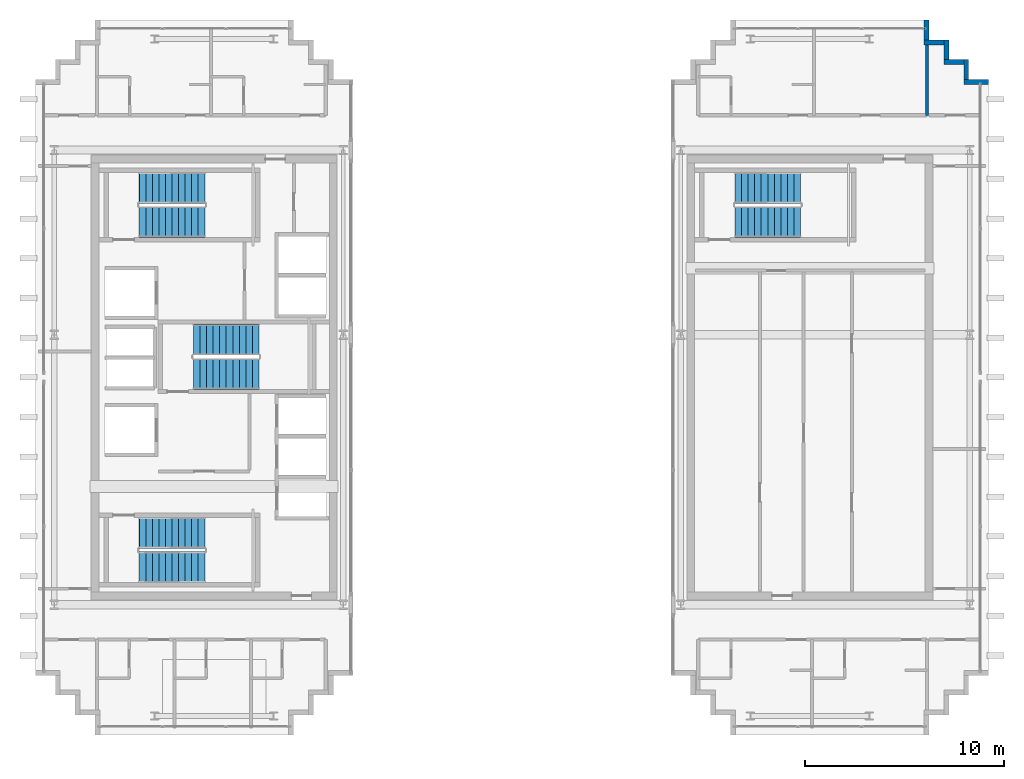
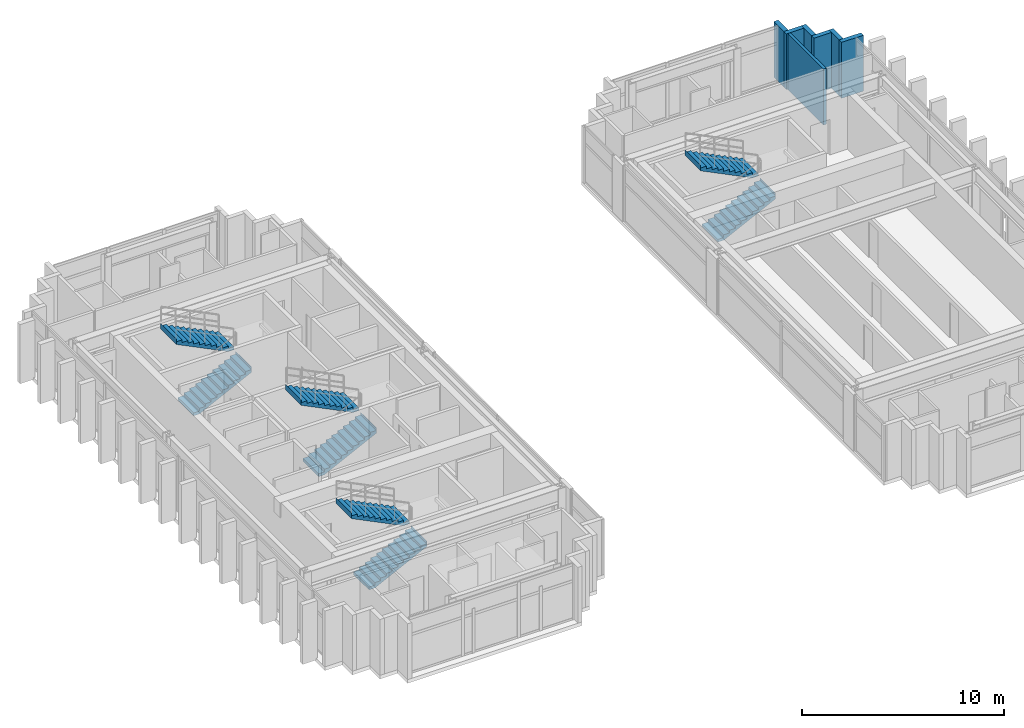
# One storey, part 23 of 25: 8 stair flights, 7 walls, 4 elements without a shape of their own.
"""IFC4 building model written with IfcOpenShell, lengths in metres."""

from ifc_helpers import new_model, si_unit, direction, frame, frame_2d, origin, place, context, subcontext, project, spatial, polyline, rectangle, outline, extrude, source, transform, mapped, material, layer, layer_set, type_object, element, aggregate, save


model = new_model("IFC4")

# Units and contexts
model_context = context("Model", 3, precision=1e-05, world=origin(), true_north=direction((0.0, 1.0)))
body_context = subcontext(model_context, "Body", "Model", "MODEL_VIEW")
ifc_project = project(units=[si_unit("LENGTHUNIT", "METRE"), si_unit("AREAUNIT", "SQUARE_METRE"), si_unit("VOLUMEUNIT", "CUBIC_METRE"), si_unit("PLANEANGLEUNIT", "RADIAN"), si_unit("MASSUNIT", "GRAM", prefix="KILO")], contexts=[model_context])

# Site, building, storey
site_placement = place(None, origin())
site = spatial("IfcSite", under=ifc_project, at=site_placement, CompositionType="ELEMENT")
building_placement = place(site_placement, origin())
building = spatial("IfcBuilding", under=site, at=building_placement, Name="Ocotamira Hotel", CompositionType="ELEMENT")
storey_placement = place(building_placement, frame((0.0, 0.0, 254.39990234375)))
storey = spatial("IfcBuildingStorey", under=building, at=storey_placement, Name="L64", CompositionType="ELEMENT", Elevation=254.39990234375)

# Walls
ifc_material_1 = material(Name="Precast concrete C45/55", Category="concrete")
ifc_layer_1 = layer(ifc_material_1, 0.25)
ifc_layer_set_1 = layer_set([ifc_layer_1], Name="Precast concrete C45/55")
wall_type_1 = type_object("IfcWallType", Name="WL-EXT-SER-250", PredefinedType="SOLIDWALL", material=ifc_layer_set_1)
wall_1_placement = place(storey_placement, frame((56.0, 40.875, 0.0), z_axis=(0.0, 0.0, 1.0), x_axis=(-1.0, 0.0, 0.0)))
element("IfcWall", 1, at=wall_1_placement, inside=storey, type_object=wall_type_1, Name="L64 -E Serrated Corner Wall 07", PredefinedType="SOLIDWALL", context=body_context, shape_type="SweptSolid", body=[
    extrude(rectangle(XDim=1.25, YDim=0.25, at=frame_2d((0.625, 0.0))), origin(), (0.0, 0.0, 1.0), 3.380126953125),
])
for number, where, z_axis, x_axis, name in (
    (2, (54.875, 41.0, 0.0), (0.0, 0.0, 1.0), (0.0, 1.0, 0.0), "L64 -E Serrated Corner Wall 08"),
    (3, (54.75, 41.875, 0.0), (0.0, 0.0, 1.0), (-1.0, 0.0, 0.0), "L64 -E Serrated Corner Wall 09"),
    (4, (53.875, 42.0, 0.0), (0.0, 0.0, 1.0), (0.0, 1.0, 0.0), "L64 -E Serrated Corner Wall 10"),
    (5, (53.75, 42.875, 0.0), (0.0, 0.0, 1.0), (-1.0, 0.0, 0.0), "L64 -E Serrated Corner Wall 11"),
    (6, (52.875, 43.0, 0.0), (0.0, 0.0, 1.0), (0.0, 1.0, 0.0), "L64 -E Serrated Corner Wall 12"),
):
    element("IfcWall", number, at=place(storey_placement, frame(where, z_axis=z_axis, x_axis=x_axis)), inside=storey, type_object=wall_type_1, Name=name, PredefinedType="SOLIDWALL", context=body_context, shape_type="SweptSolid", body=[
        extrude(rectangle(XDim=1.0, YDim=0.25, at=frame_2d((0.5, 0.0))), origin(), (0.0, 0.0, 1.0), 3.380126953125),
    ])
ifc_material_2 = material(Name="Acoustic double-stud hospitality gypsum partition", Category="gypsum")
ifc_layer_2 = layer(ifc_material_2, 0.159912109375)
ifc_layer_set_2 = layer_set([ifc_layer_2], Name="Acoustic double-stud hospitality gypsum partition")
wall_type_2 = type_object("IfcWallType", Name="WL-PART-160", PredefinedType="PARTITIONING", material=ifc_layer_set_2)
wall_2_placement = place(storey_placement, frame((52.89990234375, 39.199951171875, 0.0), z_axis=(0.0, 0.0, 1.0), x_axis=(0.0, 1.0, 0.0)))
element("IfcWall", 7, at=wall_2_placement, inside=storey, type_object=wall_type_2, Name="L64 Interior Wall PW-L64-SPE0N-PWEND", PredefinedType="PARTITIONING", context=body_context, shape_type="SweptSolid", body=[
    extrude(rectangle(XDim=3.5400390625, YDim=0.159912109375, at=frame_2d((1.77001953125, 0.0))), origin(), (0.0, 0.0, 1.0), 3.380126953125),
])

# Stair, stair flights
ifc_material_3 = material(Name="Concrete C40/50", Category="concrete")
stair_type = type_object("IfcStairType", Name="ST-CORE-1560", PredefinedType="HALF_TURN_STAIR", material=ifc_material_3)
stair_1_placement = place(storey_placement, origin())
stair_1 = element("IfcStair", 8, at=stair_1_placement, inside=storey, type_object=stair_type, Name="L64 Exit Stair ST-1", PredefinedType="HALF_TURN_STAIR")
stair_flight_type = type_object("IfcStairFlightType", Name="STF-CORE-1560", PredefinedType="STRAIGHT", material=ifc_material_3)
shared_shape = source(origin(), body_context, "Body", "SweptSolid", [
    extrude(outline(polyline([(-0.00390625, 0.0), (-0.00390625, 0.16357421875), (0.330078125, 0.16357421875), (0.330078125, 0.327392578125), (0.659912109375, 0.327392578125), (0.659912109375, 0.490966796875), (0.989990234375, 0.490966796875), (0.989990234375, 0.654541015625), (1.320068359375, 0.654541015625), (1.320068359375, 0.818115234375), (1.64990234375, 0.818115234375), (1.64990234375, 0.98193359375), (1.97998046875, 0.98193359375), (1.97998046875, 1.1455078125), (2.31005859375, 1.1455078125), (2.31005859375, 1.30908203125), (2.639892578125, 1.30908203125), (2.639892578125, 1.47265625), (2.969970703125, 1.47265625), (2.969970703125, 1.636474609375), (3.300048828125, 1.636474609375), (3.300048828125, 1.800048828125), (3.303955078125, 1.800048828125), (3.303955078125, 1.468994140625), (0.33740234375, 0.0), (-0.00390625, 0.0)])), frame((0.0, 0.780029296875, 0.0), z_axis=(0.0, -1.0, 0.0), x_axis=(1.0, 0.0, 0.0)), (0.0, 0.0, 1.0), 1.56005859375),
])
stair_flight_1_placement = place(storey_placement, frame((13.22998046875, 16.449951171875, 0.0), z_axis=(0.0, 0.0, 1.0), x_axis=(1.0, 0.0, 0.0)))
stair_flight_1 = element("IfcStairFlight", 9, at=stair_flight_1_placement, type_object=stair_flight_type, Name="ST-1 flight 1", NumberOfRisers=11, NumberOfTreads=10, PredefinedType="STRAIGHT", RiserHeight=0.163636364, TreadLength=0.33, context=body_context, shape_type="MappedRepresentation", body=[
    mapped(shared_shape, transform((0.0, 0.0, 0.0), scale=1.0)),
])
stair_flight_2_placement = place(storey_placement, frame((16.530029296875, 18.169921875, 1.800048828125), z_axis=(0.0, 0.0, 1.0), x_axis=(-1.0, 0.0, 0.0)))
stair_flight_2 = element("IfcStairFlight", 10, at=stair_flight_2_placement, type_object=stair_flight_type, Name="ST-1 flight 2", NumberOfRisers=11, NumberOfTreads=10, PredefinedType="STRAIGHT", RiserHeight=0.163636364, TreadLength=0.33, context=body_context, shape_type="MappedRepresentation", body=[
    mapped(shared_shape, transform((0.0, 0.0, 0.0), scale=1.0)),
])
aggregate(stair_1, [stair_flight_1, stair_flight_2])

stair_2_placement = place(storey_placement, origin())
stair_2 = element("IfcStair", 11, at=stair_2_placement, inside=storey, type_object=stair_type, Name="L64 Exit Stair ST-2", PredefinedType="HALF_TURN_STAIR")
stair_flight_3_placement = place(storey_placement, frame((13.22998046875, 33.830078125, 0.0), z_axis=(0.0, 0.0, 1.0), x_axis=(1.0, 0.0, 0.0)))
stair_flight_3 = element("IfcStairFlight", 12, at=stair_flight_3_placement, type_object=stair_flight_type, Name="ST-2 flight 1", NumberOfRisers=11, NumberOfTreads=10, PredefinedType="STRAIGHT", RiserHeight=0.163636364, TreadLength=0.33, context=body_context, shape_type="MappedRepresentation", body=[
    mapped(shared_shape, transform((0.0, 0.0, 0.0), scale=1.0)),
])
stair_flight_4_placement = place(storey_placement, frame((16.530029296875, 35.550048828125, 1.800048828125), z_axis=(0.0, 0.0, 1.0), x_axis=(-1.0, 0.0, 0.0)))
stair_flight_4 = element("IfcStairFlight", 13, at=stair_flight_4_placement, type_object=stair_flight_type, Name="ST-2 flight 2", NumberOfRisers=11, NumberOfTreads=10, PredefinedType="STRAIGHT", RiserHeight=0.163636364, TreadLength=0.33, context=body_context, shape_type="MappedRepresentation", body=[
    mapped(shared_shape, transform((0.0, 0.0, 0.0), scale=1.0)),
])
aggregate(stair_2, [stair_flight_3, stair_flight_4])

stair_3_placement = place(storey_placement, origin())
stair_3 = element("IfcStair", 14, at=stair_3_placement, inside=storey, type_object=stair_type, Name="L64 Exit Stair ST-3", PredefinedType="HALF_TURN_STAIR")
stair_flight_5_placement = place(storey_placement, frame((15.9599609375, 26.179931640625, 0.0), z_axis=(0.0, 0.0, 1.0), x_axis=(1.0, 0.0, 0.0)))
stair_flight_5 = element("IfcStairFlight", 15, at=stair_flight_5_placement, type_object=stair_flight_type, Name="ST-3 flight 1", NumberOfRisers=11, NumberOfTreads=10, PredefinedType="STRAIGHT", RiserHeight=0.163636364, TreadLength=0.33, context=body_context, shape_type="MappedRepresentation", body=[
    mapped(shared_shape, transform((0.0, 0.0, 0.0), scale=1.0)),
])
stair_flight_6_placement = place(storey_placement, frame((19.260009765625, 27.89990234375, 1.800048828125), z_axis=(0.0, 0.0, 1.0), x_axis=(-1.0, 0.0, 0.0)))
stair_flight_6 = element("IfcStairFlight", 16, at=stair_flight_6_placement, type_object=stair_flight_type, Name="ST-3 flight 2", NumberOfRisers=11, NumberOfTreads=10, PredefinedType="STRAIGHT", RiserHeight=0.163636364, TreadLength=0.33, context=body_context, shape_type="MappedRepresentation", body=[
    mapped(shared_shape, transform((0.0, 0.0, 0.0), scale=1.0)),
])
aggregate(stair_3, [stair_flight_5, stair_flight_6])

stair_4_placement = place(storey_placement, origin())
stair_4 = element("IfcStair", 17, at=stair_4_placement, inside=storey, type_object=stair_type, Name="L64 Exit Stair ST-4", PredefinedType="HALF_TURN_STAIR")
stair_flight_7_placement = place(storey_placement, frame((43.22998046875, 33.830078125, 0.0), z_axis=(0.0, 0.0, 1.0), x_axis=(1.0, 0.0, 0.0)))
stair_flight_7 = element("IfcStairFlight", 18, at=stair_flight_7_placement, type_object=stair_flight_type, Name="ST-4 flight 1", NumberOfRisers=11, NumberOfTreads=10, PredefinedType="STRAIGHT", RiserHeight=0.163636364, TreadLength=0.33, context=body_context, shape_type="MappedRepresentation", body=[
    mapped(shared_shape, transform((0.0, 0.0, 0.0), scale=1.0)),
])
stair_flight_8_placement = place(storey_placement, frame((46.530029296875, 35.550048828125, 1.800048828125), z_axis=(0.0, 0.0, 1.0), x_axis=(-1.0, 0.0, 0.0)))
stair_flight_8 = element("IfcStairFlight", 19, at=stair_flight_8_placement, type_object=stair_flight_type, Name="ST-4 flight 2", NumberOfRisers=11, NumberOfTreads=10, PredefinedType="STRAIGHT", RiserHeight=0.163636364, TreadLength=0.33, context=body_context, shape_type="MappedRepresentation", body=[
    mapped(shared_shape, transform((0.0, 0.0, 0.0), scale=1.0)),
])
aggregate(stair_4, [stair_flight_7, stair_flight_8])

save(model, "model.ifc")
